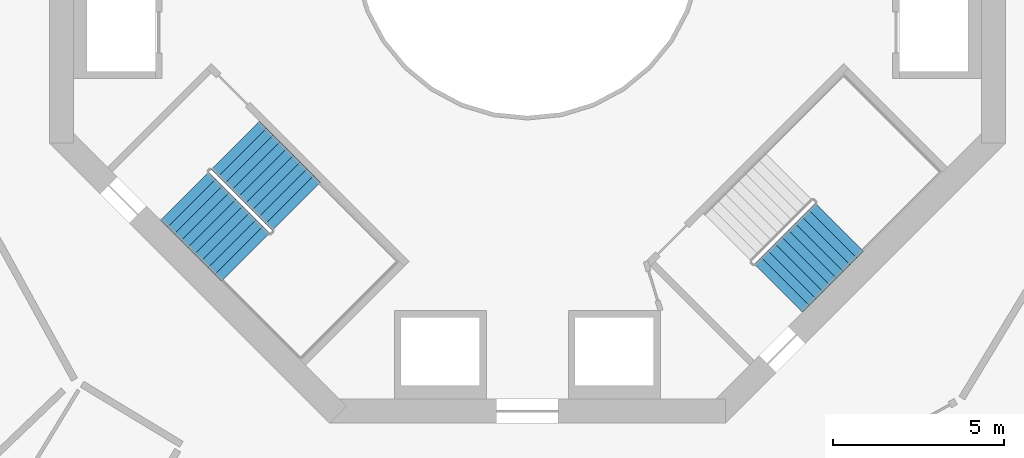
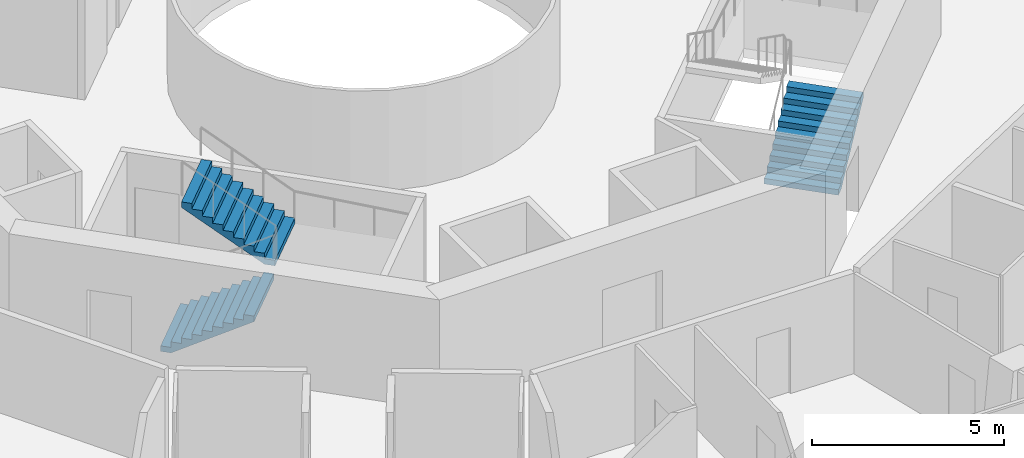
# One storey, part 20 of 22: 3 stair flights, 2 elements without a shape of their own.
"""IFC4 building model written with IfcOpenShell, lengths in metres."""

import ifcopenshell
import ifcopenshell.guid

model = None  # the IFC model being written
_history = None  # IfcOwnerHistory: only IFC2X3 demands one
_inside = {}  # id of a spatial element -> (the spatial element, [elements in it])
_under = {}  # id of a project, library or spatial element -> (it, [spatial elements below it])
_declared = {}  # id of a project -> (the project, [libraries it declares])
_typed = {}  # id of a type object -> (the type object, [elements of that type])
_made_of = {}  # id of a material, layer set ... -> (it, [elements and type objects made of it])


def new_model(schema):
    """Start an empty IFC model of exactly this schema.

    Asked for "IFC4X3", IfcOpenShell would pick the latest addendum, in which some entities
    have other attributes; the version numbers below select the first issue.
    IFC2X3 requires an IfcOwnerHistory on every rooted entity: one is made here for all.
    """
    global model, _history
    if schema == "IFC4X3":
        model = ifcopenshell.file(schema_version=(4, 3, 0, 0))
    else:
        model = ifcopenshell.file(schema=schema)
    _inside.clear()
    _under.clear()
    _declared.clear()
    _typed.clear()
    _made_of.clear()
    _history = None
    if model.schema == "IFC2X3":
        org = make("IfcOrganization", Name="unknown")
        user = make(
            "IfcPersonAndOrganization",
            ThePerson=make("IfcPerson", FamilyName="unknown"),
            TheOrganization=org,
        )
        app = make(
            "IfcApplication",
            ApplicationDeveloper=org,
            Version="unknown",
            ApplicationFullName="unknown",
            ApplicationIdentifier="unknown",
        )
        _history = make(
            "IfcOwnerHistory",
            OwningUser=user,
            OwningApplication=app,
            ChangeAction="ADDED",
            CreationDate=0,
        )
    return model


def make(cls, **values):
    """One entity of the class cls with the attributes given. An attribute that is None is left unset."""
    return model.create_entity(
        cls, **{name: value for name, value in values.items() if value is not None}
    )


def rooted(cls, **values):
    """An entity with a GlobalId (a new one), such as an element, a storey or a relation."""
    return make(cls, GlobalId=ifcopenshell.guid.new(), OwnerHistory=_history, **values)


def si_unit(unit_type, name, prefix=None):
    """IfcSIUnit, for example si_unit("LENGTHUNIT", "METRE", prefix="MILLI")."""
    return make("IfcSIUnit", UnitType=unit_type, Prefix=prefix, Name=name)


def assignment(units):
    """IfcUnitAssignment: the units of a project."""
    return None if units is None else make("IfcUnitAssignment", Units=units)


def point(xyz):
    """IfcCartesianPoint."""
    return None if xyz is None else make("IfcCartesianPoint", Coordinates=xyz)


def direction(xyz):
    """IfcDirection."""
    return None if xyz is None else make("IfcDirection", DirectionRatios=xyz)


def frame(location, z_axis=None, x_axis=None):
    """IfcAxis2Placement3D, a coordinate frame: its origin and axes. An axis left out is left unset."""
    return make(
        "IfcAxis2Placement3D",
        Location=point(location),
        Axis=direction(z_axis),
        RefDirection=direction(x_axis),
    )


def origin():
    """The frame at (0, 0, 0) with its axes left unset."""
    return frame((0.0, 0.0, 0.0))


def place(relative_to, where):
    """IfcLocalPlacement: puts the frame where relative to a parent placement (None: the world)."""
    return make(
        "IfcLocalPlacement", PlacementRelTo=relative_to, RelativePlacement=where
    )


def context(
    kind, dimensions, precision=None, world=None, true_north=None, identifier=None
):
    """IfcGeometricRepresentationContext, for example the 3D "Model" context."""
    return make(
        "IfcGeometricRepresentationContext",
        ContextIdentifier=identifier,
        ContextType=kind,
        CoordinateSpaceDimension=dimensions,
        Precision=precision,
        WorldCoordinateSystem=world,
        TrueNorth=true_north,
    )


def subcontext(parent, identifier, kind, view, scale=None):
    """IfcGeometricRepresentationSubContext, for example "Body" below "Model"."""
    return make(
        "IfcGeometricRepresentationSubContext",
        ContextIdentifier=identifier,
        ContextType=kind,
        ParentContext=parent,
        TargetScale=scale,
        TargetView=view,
    )


def project(units=None, contexts=None):
    """IfcProject with its units and contexts."""
    return rooted(
        "IfcProject",
        Name="project",
        RepresentationContexts=contexts,
        UnitsInContext=assignment(units),
    )


def spatial(cls, under=None, at=None, **own):
    """A site, building, storey or space (cls), placed at a placement, below another one or the project."""
    s = rooted(cls, ObjectPlacement=at, **own)
    if under is not None:
        _under.setdefault(under.id(), (under, []))[1].append(s)
    return s


def point_list(points):
    """IfcCartesianPointList2D or 3D."""
    cls = (
        "IfcCartesianPointList2D" if len(points[0]) == 2 else "IfcCartesianPointList3D"
    )
    return make(cls, CoordList=points)


def triangles(points, corners, closed=None, point_numbers=None):
    """IfcTriangulatedFaceSet: each triangle names its three corners, points numbered from 1."""
    return make(
        "IfcTriangulatedFaceSet",
        Coordinates=point_list(points),
        Closed=closed,
        CoordIndex=corners,
        PnIndex=point_numbers,
    )


def shape(context_of_items, identifier, shape_type, items):
    """IfcShapeRepresentation: the items that make up one representation, for example the "Body"."""
    return make(
        "IfcShapeRepresentation",
        ContextOfItems=context_of_items,
        RepresentationIdentifier=identifier,
        RepresentationType=shape_type,
        Items=items,
    )


def material(Name=None, Category=None):
    """IfcMaterial."""
    return make("IfcMaterial", Name=Name, Category=Category)


def made_of(thing, what):
    """Note that an element or type object is made of a material, layer set ...; save() writes the relation."""
    if what is not None:
        _made_of.setdefault(what.id(), (what, []))[1].append(thing)
    return thing


def type_object(cls, material=None, **own):
    """A type object (cls), such as IfcWallType, which elements share."""
    return made_of(rooted(cls, **own), material)


def element(
    cls,
    number,
    at=None,
    inside=None,
    cuts=None,
    type_object=None,
    material=None,
    context=None,
    identifier="Body",
    shape_type=None,
    held_by="IfcProductDefinitionShape",
    body=None,
    shapes=None,
    **own,
):
    """One element of the class cls, such as IfcWall. Its Tag is "e" and its number.

    at: its placement. inside: the storey or other place that contains it. cuts: it is an
    opening in that element (IfcRelVoidsElement). A single representation is given by context,
    identifier, shape_type and body (its items); several are given by shapes. held_by: the class
    of the entity that holds the representations. save() writes the other relations.
    """
    e = rooted(cls, Tag="e%d" % number, ObjectPlacement=at, **own)
    if body is not None:
        shapes = [shape(context, identifier, shape_type, body)]
    if shapes is not None:
        e.Representation = make(held_by, Representations=shapes)
    if inside is not None:
        _inside.setdefault(inside.id(), (inside, []))[1].append(e)
    if cuts is not None:
        rooted(
            "IfcRelVoidsElement", RelatingBuildingElement=cuts, RelatedOpeningElement=e
        )
    if type_object is not None:
        _typed.setdefault(type_object.id(), (type_object, []))[1].append(e)
    return made_of(e, material)


def aggregate(whole, parts):
    """IfcRelAggregates: a whole, such as a stair, and the parts it consists of."""
    return rooted("IfcRelAggregates", RelatingObject=whole, RelatedObjects=parts)


def save(model, path):
    """Write the relations noted so far, then the file.

    IfcRelAggregates (storeys below a building ...), IfcRelContainedInSpatialStructure (elements
    in a storey), IfcRelDefinesByType, IfcRelAssociatesMaterial and IfcRelDeclares: one each for
    every whole, place, type object, material and project.
    """
    for whole, parts in _under.values():
        aggregate(whole, parts)
    for where, things in _inside.values():
        rooted(
            "IfcRelContainedInSpatialStructure",
            RelatedElements=things,
            RelatingStructure=where,
        )
    for kind, things in _typed.values():
        rooted("IfcRelDefinesByType", RelatedObjects=things, RelatingType=kind)
    for what, things in _made_of.values():
        rooted("IfcRelAssociatesMaterial", RelatedObjects=things, RelatingMaterial=what)
    for by, libraries in _declared.values():
        rooted("IfcRelDeclares", RelatingContext=by, RelatedDefinitions=libraries)
    model.write(path)


model = new_model("IFC4")

# Units and contexts
model_context = context("Model", 3, precision=1e-05, world=origin(), true_north=direction((0.0, 1.0)))
body_context = subcontext(model_context, "Body", "Model", "MODEL_VIEW")
ifc_project = project(units=[si_unit("LENGTHUNIT", "METRE"), si_unit("AREAUNIT", "SQUARE_METRE"), si_unit("VOLUMEUNIT", "CUBIC_METRE"), si_unit("PLANEANGLEUNIT", "RADIAN"), si_unit("MASSUNIT", "GRAM", prefix="KILO")], contexts=[model_context])

# Site, building, storey
site_placement = place(None, origin())
site = spatial("IfcSite", under=ifc_project, at=site_placement, CompositionType="ELEMENT")
building_placement = place(site_placement, origin())
building = spatial("IfcBuilding", under=site, at=building_placement, Name="Verdalira Terraces Hotel", CompositionType="ELEMENT")
storey_placement = place(building_placement, frame((0.0, 0.0, 150.5)))
storey = spatial("IfcBuildingStorey", under=building, at=storey_placement, Name="L36", CompositionType="ELEMENT", Elevation=150.5)

# Stair, stair flights
ifc_material_1 = material(Name="Concrete C40", Category="concrete")
stair_type = type_object("IfcStairType", Name="Core stair 20 risers 2000 mm wide", PredefinedType="HALF_TURN_STAIR", material=ifc_material_1)
stair_1_placement = place(storey_placement, origin())
stair_1 = element("IfcStair", 1, at=stair_1_placement, inside=storey, type_object=stair_type, Name="L36 Exit stair ST2", PredefinedType="HALF_TURN_STAIR")
ifc_material_2 = material(Name="Concrete C40", Category="concrete")
stair_flight_type = type_object("IfcStairFlightType", Name="Core stair flight 20 risers 2000 mm wide", PredefinedType="STRAIGHT", material=ifc_material_2)
stair_flight_1_placement = place(storey_placement, frame((-10.041016, -7.354004, 0.0), z_axis=(0.0, 0.0, 1.0), x_axis=(0.707106781, -0.707106781, 0.0)))
stair_flight_1 = element("IfcStairFlight", 2, at=stair_flight_1_placement, type_object=stair_flight_type, Name="ST2 flight 1", NumberOfRisers=10, NumberOfTreads=9, PredefinedType="STRAIGHT", RiserHeight=0.175, TreadLength=0.28, context=body_context, shape_type="Tessellation", body=[
    triangles([(0.0, 1.0, 0.0), (0.282715, 1.0, 0.0), (2.52002, 1.0, 1.398193), (0.0, -1.0, 0.0), (0.282715, -1.0, 0.0), (2.52002, -1.0, 1.398193), (2.52002, 1.0, 1.574951), (2.23999, 1.0, 1.574951), (2.52002, -1.0, 1.574951), (2.23999, -1.0, 1.574951), (2.23999, 1.0, 1.399902), (2.23999, -1.0, 1.399902), (1.959961, 1.0, 1.399902), (1.959961, -1.0, 1.399902), (1.959961, 1.0, 1.225098), (1.959961, -1.0, 1.225098), (1.679932, 1.0, 1.225098), (1.679932, 1.0, 1.050049), (1.679932, -1.0, 1.225098), (1.679932, -1.0, 1.050049), (1.399902, 1.0, 1.050049), (1.399902, 1.0, 0.875), (1.399902, -1.0, 1.050049), (1.399902, -1.0, 0.875), (1.120117, 1.0, 0.875), (1.120117, 1.0, 0.699951), (1.120117, -1.0, 0.875), (1.120117, -1.0, 0.699951), (0.840088, 1.0, 0.699951), (0.840088, 1.0, 0.524902), (0.840088, -1.0, 0.699951), (0.840088, -1.0, 0.524902), (0.560059, 1.0, 0.524902), (0.560059, 1.0, 0.350098), (0.560059, -1.0, 0.524902), (0.560059, -1.0, 0.350098), (0.280029, 1.0, 0.350098), (0.280029, 1.0, 0.175049), (0.280029, -1.0, 0.350098), (0.280029, -1.0, 0.175049), (0.0, 1.0, 0.175049), (0.0, -1.0, 0.175049), (0.0, -0.9375, 0.0), (0.0, -0.9375, 0.175049), (0.0, -0.875, 0.0), (0.0, -0.875, 0.175049), (0.0, -0.8125, 0.0), (0.0, -0.8125, 0.175049), (0.0, -0.75, 0.0), (0.0, -0.75, 0.175049), (0.0, -0.6875, 0.0), (0.0, -0.6875, 0.175049), (0.0, -0.625, 0.0), (0.0, -0.625, 0.175049), (0.0, -0.5625, 0.0), (0.0, -0.5625, 0.175049), (0.0, -0.5, 0.0), (0.0, -0.5, 0.175049), (0.0, -0.4375, 0.0), (0.0, -0.4375, 0.175049), (0.0, -0.375, 0.0), (0.0, -0.375, 0.175049), (0.0, -0.3125, 0.0), (0.0, -0.3125, 0.175049), (0.0, -0.25, 0.0), (0.0, -0.25, 0.175049), (0.0, -0.1875, 0.0), (0.0, -0.1875, 0.175049), (0.0, -0.125, 0.0), (0.0, -0.125, 0.175049), (0.0, -0.0625, 0.0), (0.0, -0.0625, 0.175049), (0.0, 0.0, 0.0), (0.0, 0.0, 0.175049), (0.0, 0.0625, 0.0), (0.0, 0.0625, 0.175049), (0.0, 0.125, 0.0), (0.0, 0.125, 0.175049), (0.0, 0.1875, 0.0), (0.0, 0.1875, 0.175049), (0.0, 0.25, 0.0), (0.0, 0.25, 0.175049), (0.0, 0.3125, 0.0), (0.0, 0.3125, 0.175049), (0.0, 0.375, 0.0), (0.0, 0.375, 0.175049), (0.0, 0.4375, 0.0), (0.0, 0.4375, 0.175049), (0.0, 0.5, 0.0), (0.0, 0.5, 0.175049), (0.0, 0.5625, 0.0), (0.0, 0.5625, 0.175049), (0.0, 0.625, 0.0), (0.0, 0.625, 0.175049), (0.0, 0.6875, 0.0), (0.0, 0.6875, 0.175049), (0.0, 0.75, 0.0), (0.0, 0.75, 0.175049), (0.0, 0.8125, 0.0), (0.0, 0.8125, 0.175049), (0.0, 0.875, 0.0), (0.0, 0.875, 0.175049), (0.0, 0.9375, 0.0), (0.0, 0.9375, 0.175049), (2.52002, -0.9375, 1.574951), (2.52002, -0.875, 1.574951), (2.52002, -0.8125, 1.574951), (2.52002, -0.75, 1.574951), (2.52002, -0.6875, 1.574951), (2.52002, -0.625, 1.574951), (2.52002, -0.5625, 1.574951), (2.52002, -0.5, 1.574951), (2.52002, -0.4375, 1.574951), (2.52002, -0.375, 1.574951), (2.52002, -0.3125, 1.574951), (2.52002, -0.25, 1.574951), (2.52002, -0.1875, 1.574951), (2.52002, -0.125, 1.574951), (2.52002, -0.0625, 1.574951), (2.52002, 0.0, 1.574951), (2.52002, 0.0625, 1.574951), (2.52002, 0.125, 1.574951), (2.52002, 0.1875, 1.574951), (2.52002, 0.25, 1.574951), (2.52002, 0.3125, 1.574951), (2.52002, 0.375, 1.574951), (2.52002, 0.4375, 1.574951), (2.52002, 0.5, 1.574951), (2.52002, 0.5625, 1.574951), (2.52002, 0.625, 1.574951), (2.52002, 0.6875, 1.574951), (2.52002, 0.75, 1.574951), (2.52002, 0.8125, 1.574951), (2.52002, 0.875, 1.574951), (2.52002, 0.9375, 1.574951), (2.52002, -0.9375, 1.398193), (2.52002, -0.875, 1.398193), (2.52002, -0.8125, 1.398193), (2.52002, -0.75, 1.398193), (2.52002, -0.6875, 1.398193), (2.52002, -0.625, 1.398193), (2.52002, -0.5625, 1.398193), (2.52002, -0.5, 1.398193), (2.52002, -0.4375, 1.398193), (2.52002, -0.375, 1.398193), (2.52002, -0.3125, 1.398193), (2.52002, -0.25, 1.398193), (2.52002, -0.1875, 1.398193), (2.52002, -0.125, 1.398193), (2.52002, -0.0625, 1.398193), (2.52002, 0.0, 1.398193), (2.52002, 0.0625, 1.398193), (2.52002, 0.125, 1.398193), (2.52002, 0.1875, 1.398193), (2.52002, 0.25, 1.398193), (2.52002, 0.3125, 1.398193), (2.52002, 0.375, 1.398193), (2.52002, 0.4375, 1.398193), (2.52002, 0.5, 1.398193), (2.52002, 0.5625, 1.398193), (2.52002, 0.625, 1.398193), (2.52002, 0.6875, 1.398193), (2.52002, 0.75, 1.398193), (2.52002, 0.8125, 1.398193), (2.52002, 0.875, 1.398193), (2.52002, 0.9375, 1.398193)], [[1, 3, 2], [4, 5, 6], [3, 8, 7], [6, 9, 10], [3, 11, 8], [6, 10, 12], [3, 13, 11], [6, 12, 14], [3, 15, 13], [6, 14, 16], [15, 18, 17], [16, 19, 20], [3, 18, 15], [6, 16, 20], [18, 22, 21], [20, 23, 24], [3, 22, 18], [6, 20, 24], [22, 26, 25], [24, 27, 28], [3, 26, 22], [6, 24, 28], [26, 30, 29], [28, 31, 32], [3, 30, 26], [6, 28, 32], [1, 30, 3], [4, 6, 32], [30, 34, 33], [32, 35, 36], [34, 38, 37], [36, 39, 40], [30, 38, 34], [32, 36, 40], [1, 38, 30], [4, 32, 40], [38, 1, 41], [40, 42, 4], [4, 44, 43], [4, 42, 44], [43, 46, 45], [43, 44, 46], [45, 48, 47], [45, 46, 48], [47, 50, 49], [47, 48, 50], [49, 52, 51], [49, 50, 52], [51, 54, 53], [51, 52, 54], [53, 56, 55], [53, 54, 56], [55, 58, 57], [55, 56, 58], [57, 60, 59], [57, 58, 60], [59, 62, 61], [59, 60, 62], [61, 64, 63], [61, 62, 64], [63, 66, 65], [63, 64, 66], [65, 68, 67], [65, 66, 68], [67, 70, 69], [67, 68, 70], [69, 72, 71], [69, 70, 72], [71, 74, 73], [71, 72, 74], [73, 76, 75], [73, 74, 76], [75, 78, 77], [75, 76, 78], [77, 80, 79], [77, 78, 80], [79, 82, 81], [79, 80, 82], [81, 84, 83], [81, 82, 84], [83, 86, 85], [83, 84, 86], [85, 88, 87], [85, 86, 88], [87, 90, 89], [87, 88, 90], [89, 92, 91], [89, 90, 92], [91, 94, 93], [91, 92, 94], [93, 96, 95], [93, 94, 96], [95, 98, 97], [95, 96, 98], [97, 100, 99], [97, 98, 100], [99, 102, 101], [99, 100, 102], [101, 104, 103], [101, 102, 104], [103, 41, 1], [103, 104, 41], [42, 40, 44], [44, 40, 46], [46, 40, 48], [48, 40, 50], [50, 40, 52], [52, 40, 54], [54, 40, 56], [56, 40, 58], [58, 40, 60], [60, 40, 62], [62, 40, 64], [64, 40, 66], [66, 40, 68], [68, 40, 70], [70, 40, 72], [72, 40, 74], [74, 40, 76], [76, 40, 78], [78, 40, 80], [80, 40, 82], [82, 40, 84], [84, 40, 86], [86, 40, 88], [88, 40, 90], [90, 40, 92], [92, 40, 94], [94, 40, 96], [96, 40, 98], [98, 40, 100], [100, 40, 102], [102, 40, 104], [104, 40, 41], [41, 40, 38], [40, 37, 38], [40, 39, 37], [39, 34, 37], [39, 36, 34], [36, 33, 34], [36, 35, 33], [35, 30, 33], [35, 32, 30], [32, 29, 30], [32, 31, 29], [31, 26, 29], [31, 28, 26], [28, 25, 26], [28, 27, 25], [27, 22, 25], [27, 24, 22], [24, 21, 22], [24, 23, 21], [23, 18, 21], [23, 20, 18], [20, 17, 18], [20, 19, 17], [19, 15, 17], [19, 16, 15], [16, 13, 15], [16, 14, 13], [14, 11, 13], [14, 12, 11], [12, 8, 11], [12, 10, 8], [9, 105, 10], [105, 106, 10], [106, 107, 10], [107, 108, 10], [108, 109, 10], [109, 110, 10], [110, 111, 10], [111, 112, 10], [112, 113, 10], [113, 114, 10], [114, 115, 10], [115, 116, 10], [116, 117, 10], [117, 118, 10], [118, 119, 10], [119, 120, 10], [120, 121, 10], [121, 122, 10], [122, 123, 10], [123, 124, 10], [124, 125, 10], [125, 126, 10], [126, 127, 10], [127, 128, 10], [128, 129, 10], [129, 130, 10], [130, 131, 10], [131, 132, 10], [132, 133, 10], [133, 134, 10], [134, 135, 10], [135, 7, 10], [7, 8, 10], [9, 136, 105], [9, 6, 136], [105, 137, 106], [105, 136, 137], [106, 138, 107], [106, 137, 138], [107, 139, 108], [107, 138, 139], [108, 140, 109], [108, 139, 140], [109, 141, 110], [109, 140, 141], [110, 142, 111], [110, 141, 142], [111, 143, 112], [111, 142, 143], [112, 144, 113], [112, 143, 144], [113, 145, 114], [113, 144, 145], [114, 146, 115], [114, 145, 146], [115, 147, 116], [115, 146, 147], [116, 148, 117], [116, 147, 148], [117, 149, 118], [117, 148, 149], [118, 150, 119], [118, 149, 150], [119, 151, 120], [119, 150, 151], [120, 152, 121], [120, 151, 152], [121, 153, 122], [121, 152, 153], [122, 154, 123], [122, 153, 154], [123, 155, 124], [123, 154, 155], [124, 156, 125], [124, 155, 156], [125, 157, 126], [125, 156, 157], [126, 158, 127], [126, 157, 158], [127, 159, 128], [127, 158, 159], [128, 160, 129], [128, 159, 160], [129, 161, 130], [129, 160, 161], [130, 162, 131], [130, 161, 162], [131, 163, 132], [131, 162, 163], [132, 164, 133], [132, 163, 164], [133, 165, 134], [133, 164, 165], [134, 166, 135], [134, 165, 166], [135, 3, 7], [135, 166, 3], [6, 5, 136], [136, 5, 137], [137, 5, 138], [138, 5, 139], [139, 5, 140], [140, 5, 141], [141, 5, 142], [142, 5, 143], [143, 5, 144], [144, 5, 145], [145, 5, 146], [146, 5, 147], [147, 5, 148], [148, 5, 149], [149, 5, 150], [150, 5, 151], [151, 5, 152], [152, 5, 153], [153, 5, 154], [154, 5, 155], [155, 5, 156], [156, 5, 157], [157, 5, 158], [158, 5, 159], [159, 5, 160], [160, 5, 161], [161, 5, 162], [162, 5, 163], [163, 5, 164], [164, 5, 165], [165, 5, 166], [166, 5, 3], [3, 5, 2], [4, 43, 5], [43, 45, 5], [45, 47, 5], [47, 49, 5], [49, 51, 5], [51, 53, 5], [53, 55, 5], [55, 57, 5], [57, 59, 5], [59, 61, 5], [61, 63, 5], [63, 65, 5], [65, 67, 5], [67, 69, 5], [69, 71, 5], [71, 73, 5], [73, 75, 5], [75, 77, 5], [77, 79, 5], [79, 81, 5], [81, 83, 5], [83, 85, 5], [85, 87, 5], [87, 89, 5], [89, 91, 5], [91, 93, 5], [93, 95, 5], [95, 97, 5], [97, 99, 5], [99, 101, 5], [101, 103, 5], [103, 1, 5], [1, 2, 5]], closed=True),
])
stair_flight_2_placement = place(storey_placement, frame((-6.77417, -7.650879, 1.75), z_axis=(0.0, 0.0, 1.0), x_axis=(-0.707106781, 0.707106781, 0.0)))
stair_flight_2 = element("IfcStairFlight", 3, at=stair_flight_2_placement, type_object=stair_flight_type, Name="ST2 flight 2", NumberOfRisers=10, NumberOfTreads=9, PredefinedType="STRAIGHT", RiserHeight=0.175, TreadLength=0.28, context=body_context, shape_type="Tessellation", body=[
    triangles([(0.0, 1.0, 0.0), (0.282715, 1.0, 0.0), (2.52002, 1.0, 1.398193), (0.0, -1.0, 0.0), (0.282715, -1.0, 0.0), (2.52002, -1.0, 1.398193), (2.52002, 1.0, 1.574951), (2.23999, 1.0, 1.574951), (2.52002, -1.0, 1.574951), (2.23999, -1.0, 1.574951), (2.23999, 1.0, 1.399902), (2.23999, -1.0, 1.399902), (1.959961, 1.0, 1.399902), (1.959961, -1.0, 1.399902), (1.959961, 1.0, 1.225098), (1.959961, -1.0, 1.225098), (1.679932, 1.0, 1.225098), (1.679932, 1.0, 1.050049), (1.679932, -1.0, 1.225098), (1.679932, -1.0, 1.050049), (1.399902, 1.0, 1.050049), (1.399902, 1.0, 0.875), (1.399902, -1.0, 1.050049), (1.399902, -1.0, 0.875), (1.120117, 1.0, 0.875), (1.120117, 1.0, 0.699951), (1.120117, -1.0, 0.875), (1.120117, -1.0, 0.699951), (0.840088, 1.0, 0.699951), (0.840088, 1.0, 0.524902), (0.840088, -1.0, 0.699951), (0.840088, -1.0, 0.524902), (0.560059, 1.0, 0.524902), (0.560059, 1.0, 0.350098), (0.560059, -1.0, 0.524902), (0.560059, -1.0, 0.350098), (0.280029, 1.0, 0.350098), (0.280029, 1.0, 0.175049), (0.280029, -1.0, 0.350098), (0.280029, -1.0, 0.175049), (0.0, 1.0, 0.175049), (0.0, -1.0, 0.175049), (0.0, -0.9375, 0.0), (0.0, -0.9375, 0.175049), (0.0, -0.875, 0.0), (0.0, -0.875, 0.175049), (0.0, -0.8125, 0.0), (0.0, -0.8125, 0.175049), (0.0, -0.75, 0.0), (0.0, -0.75, 0.175049), (0.0, -0.6875, 0.0), (0.0, -0.6875, 0.175049), (0.0, -0.625, 0.0), (0.0, -0.625, 0.175049), (0.0, -0.5625, 0.0), (0.0, -0.5625, 0.175049), (0.0, -0.5, 0.0), (0.0, -0.5, 0.175049), (0.0, -0.4375, 0.0), (0.0, -0.4375, 0.175049), (0.0, -0.375, 0.0), (0.0, -0.375, 0.175049), (0.0, -0.3125, 0.0), (0.0, -0.3125, 0.175049), (0.0, -0.25, 0.0), (0.0, -0.25, 0.175049), (0.0, -0.1875, 0.0), (0.0, -0.1875, 0.175049), (0.0, -0.125, 0.0), (0.0, -0.125, 0.175049), (0.0, -0.0625, 0.0), (0.0, -0.0625, 0.175049), (0.0, 0.0, 0.0), (0.0, 0.0, 0.175049), (0.0, 0.0625, 0.0), (0.0, 0.0625, 0.175049), (0.0, 0.125, 0.0), (0.0, 0.125, 0.175049), (0.0, 0.1875, 0.0), (0.0, 0.1875, 0.175049), (0.0, 0.25, 0.0), (0.0, 0.25, 0.175049), (0.0, 0.3125, 0.0), (0.0, 0.3125, 0.175049), (0.0, 0.375, 0.0), (0.0, 0.375, 0.175049), (0.0, 0.4375, 0.0), (0.0, 0.4375, 0.175049), (0.0, 0.5, 0.0), (0.0, 0.5, 0.175049), (0.0, 0.5625, 0.0), (0.0, 0.5625, 0.175049), (0.0, 0.625, 0.0), (0.0, 0.625, 0.175049), (0.0, 0.6875, 0.0), (0.0, 0.6875, 0.175049), (0.0, 0.75, 0.0), (0.0, 0.75, 0.175049), (0.0, 0.8125, 0.0), (0.0, 0.8125, 0.175049), (0.0, 0.875, 0.0), (0.0, 0.875, 0.175049), (0.0, 0.9375, 0.0), (0.0, 0.9375, 0.175049), (2.52002, -0.9375, 1.574951), (2.52002, -0.875, 1.574951), (2.52002, -0.8125, 1.574951), (2.52002, -0.75, 1.574951), (2.52002, -0.6875, 1.574951), (2.52002, -0.625, 1.574951), (2.52002, -0.5625, 1.574951), (2.52002, -0.5, 1.574951), (2.52002, -0.4375, 1.574951), (2.52002, -0.375, 1.574951), (2.52002, -0.3125, 1.574951), (2.52002, -0.25, 1.574951), (2.52002, -0.1875, 1.574951), (2.52002, -0.125, 1.574951), (2.52002, -0.0625, 1.574951), (2.52002, 0.0, 1.574951), (2.52002, 0.0625, 1.574951), (2.52002, 0.125, 1.574951), (2.52002, 0.1875, 1.574951), (2.52002, 0.25, 1.574951), (2.52002, 0.3125, 1.574951), (2.52002, 0.375, 1.574951), (2.52002, 0.4375, 1.574951), (2.52002, 0.5, 1.574951), (2.52002, 0.5625, 1.574951), (2.52002, 0.625, 1.574951), (2.52002, 0.6875, 1.574951), (2.52002, 0.75, 1.574951), (2.52002, 0.8125, 1.574951), (2.52002, 0.875, 1.574951), (2.52002, 0.9375, 1.574951), (2.52002, -0.9375, 1.398193), (2.52002, -0.875, 1.398193), (2.52002, -0.8125, 1.398193), (2.52002, -0.75, 1.398193), (2.52002, -0.6875, 1.398193), (2.52002, -0.625, 1.398193), (2.52002, -0.5625, 1.398193), (2.52002, -0.5, 1.398193), (2.52002, -0.4375, 1.398193), (2.52002, -0.375, 1.398193), (2.52002, -0.3125, 1.398193), (2.52002, -0.25, 1.398193), (2.52002, -0.1875, 1.398193), (2.52002, -0.125, 1.398193), (2.52002, -0.0625, 1.398193), (2.52002, 0.0, 1.398193), (2.52002, 0.0625, 1.398193), (2.52002, 0.125, 1.398193), (2.52002, 0.1875, 1.398193), (2.52002, 0.25, 1.398193), (2.52002, 0.3125, 1.398193), (2.52002, 0.375, 1.398193), (2.52002, 0.4375, 1.398193), (2.52002, 0.5, 1.398193), (2.52002, 0.5625, 1.398193), (2.52002, 0.625, 1.398193), (2.52002, 0.6875, 1.398193), (2.52002, 0.75, 1.398193), (2.52002, 0.8125, 1.398193), (2.52002, 0.875, 1.398193), (2.52002, 0.9375, 1.398193)], [[1, 3, 2], [4, 5, 6], [3, 8, 7], [6, 9, 10], [3, 11, 8], [6, 10, 12], [3, 13, 11], [6, 12, 14], [3, 15, 13], [6, 14, 16], [15, 18, 17], [16, 19, 20], [3, 18, 15], [6, 16, 20], [18, 22, 21], [20, 23, 24], [3, 22, 18], [6, 20, 24], [22, 26, 25], [24, 27, 28], [3, 26, 22], [6, 24, 28], [26, 30, 29], [28, 31, 32], [3, 30, 26], [6, 28, 32], [1, 30, 3], [4, 6, 32], [30, 34, 33], [32, 35, 36], [34, 38, 37], [36, 39, 40], [30, 38, 34], [32, 36, 40], [1, 38, 30], [4, 32, 40], [38, 1, 41], [40, 42, 4], [4, 44, 43], [4, 42, 44], [43, 46, 45], [43, 44, 46], [45, 48, 47], [45, 46, 48], [47, 50, 49], [47, 48, 50], [49, 52, 51], [49, 50, 52], [51, 54, 53], [51, 52, 54], [53, 56, 55], [53, 54, 56], [55, 58, 57], [55, 56, 58], [57, 60, 59], [57, 58, 60], [59, 62, 61], [59, 60, 62], [61, 64, 63], [61, 62, 64], [63, 66, 65], [63, 64, 66], [65, 68, 67], [65, 66, 68], [67, 70, 69], [67, 68, 70], [69, 72, 71], [69, 70, 72], [71, 74, 73], [71, 72, 74], [73, 76, 75], [73, 74, 76], [75, 78, 77], [75, 76, 78], [77, 80, 79], [77, 78, 80], [79, 82, 81], [79, 80, 82], [81, 84, 83], [81, 82, 84], [83, 86, 85], [83, 84, 86], [85, 88, 87], [85, 86, 88], [87, 90, 89], [87, 88, 90], [89, 92, 91], [89, 90, 92], [91, 94, 93], [91, 92, 94], [93, 96, 95], [93, 94, 96], [95, 98, 97], [95, 96, 98], [97, 100, 99], [97, 98, 100], [99, 102, 101], [99, 100, 102], [101, 104, 103], [101, 102, 104], [103, 41, 1], [103, 104, 41], [42, 40, 44], [44, 40, 46], [46, 40, 48], [48, 40, 50], [50, 40, 52], [52, 40, 54], [54, 40, 56], [56, 40, 58], [58, 40, 60], [60, 40, 62], [62, 40, 64], [64, 40, 66], [66, 40, 68], [68, 40, 70], [70, 40, 72], [72, 40, 74], [74, 40, 76], [76, 40, 78], [78, 40, 80], [80, 40, 82], [82, 40, 84], [84, 40, 86], [86, 40, 88], [88, 40, 90], [90, 40, 92], [92, 40, 94], [94, 40, 96], [96, 40, 98], [98, 40, 100], [100, 40, 102], [102, 40, 104], [104, 40, 41], [41, 40, 38], [40, 37, 38], [40, 39, 37], [39, 34, 37], [39, 36, 34], [36, 33, 34], [36, 35, 33], [35, 30, 33], [35, 32, 30], [32, 29, 30], [32, 31, 29], [31, 26, 29], [31, 28, 26], [28, 25, 26], [28, 27, 25], [27, 22, 25], [27, 24, 22], [24, 21, 22], [24, 23, 21], [23, 18, 21], [23, 20, 18], [20, 17, 18], [20, 19, 17], [19, 15, 17], [19, 16, 15], [16, 13, 15], [16, 14, 13], [14, 11, 13], [14, 12, 11], [12, 8, 11], [12, 10, 8], [9, 105, 10], [105, 106, 10], [106, 107, 10], [107, 108, 10], [108, 109, 10], [109, 110, 10], [110, 111, 10], [111, 112, 10], [112, 113, 10], [113, 114, 10], [114, 115, 10], [115, 116, 10], [116, 117, 10], [117, 118, 10], [118, 119, 10], [119, 120, 10], [120, 121, 10], [121, 122, 10], [122, 123, 10], [123, 124, 10], [124, 125, 10], [125, 126, 10], [126, 127, 10], [127, 128, 10], [128, 129, 10], [129, 130, 10], [130, 131, 10], [131, 132, 10], [132, 133, 10], [133, 134, 10], [134, 135, 10], [135, 7, 10], [7, 8, 10], [9, 136, 105], [9, 6, 136], [105, 137, 106], [105, 136, 137], [106, 138, 107], [106, 137, 138], [107, 139, 108], [107, 138, 139], [108, 140, 109], [108, 139, 140], [109, 141, 110], [109, 140, 141], [110, 142, 111], [110, 141, 142], [111, 143, 112], [111, 142, 143], [112, 144, 113], [112, 143, 144], [113, 145, 114], [113, 144, 145], [114, 146, 115], [114, 145, 146], [115, 147, 116], [115, 146, 147], [116, 148, 117], [116, 147, 148], [117, 149, 118], [117, 148, 149], [118, 150, 119], [118, 149, 150], [119, 151, 120], [119, 150, 151], [120, 152, 121], [120, 151, 152], [121, 153, 122], [121, 152, 153], [122, 154, 123], [122, 153, 154], [123, 155, 124], [123, 154, 155], [124, 156, 125], [124, 155, 156], [125, 157, 126], [125, 156, 157], [126, 158, 127], [126, 157, 158], [127, 159, 128], [127, 158, 159], [128, 160, 129], [128, 159, 160], [129, 161, 130], [129, 160, 161], [130, 162, 131], [130, 161, 162], [131, 163, 132], [131, 162, 163], [132, 164, 133], [132, 163, 164], [133, 165, 134], [133, 164, 165], [134, 166, 135], [134, 165, 166], [135, 3, 7], [135, 166, 3], [6, 5, 136], [136, 5, 137], [137, 5, 138], [138, 5, 139], [139, 5, 140], [140, 5, 141], [141, 5, 142], [142, 5, 143], [143, 5, 144], [144, 5, 145], [145, 5, 146], [146, 5, 147], [147, 5, 148], [148, 5, 149], [149, 5, 150], [150, 5, 151], [151, 5, 152], [152, 5, 153], [153, 5, 154], [154, 5, 155], [155, 5, 156], [156, 5, 157], [157, 5, 158], [158, 5, 159], [159, 5, 160], [160, 5, 161], [161, 5, 162], [162, 5, 163], [163, 5, 164], [164, 5, 165], [165, 5, 166], [166, 5, 3], [3, 5, 2], [4, 43, 5], [43, 45, 5], [45, 47, 5], [47, 49, 5], [49, 51, 5], [51, 53, 5], [53, 55, 5], [55, 57, 5], [57, 59, 5], [59, 61, 5], [61, 63, 5], [63, 65, 5], [65, 67, 5], [67, 69, 5], [69, 71, 5], [71, 73, 5], [73, 75, 5], [75, 77, 5], [77, 79, 5], [79, 81, 5], [81, 83, 5], [83, 85, 5], [85, 87, 5], [87, 89, 5], [89, 91, 5], [91, 93, 5], [93, 95, 5], [95, 97, 5], [97, 99, 5], [99, 101, 5], [101, 103, 5], [103, 1, 5], [1, 2, 5]], closed=True),
])
aggregate(stair_1, [stair_flight_1, stair_flight_2])

# Stair, stair flight
stair_2_placement = place(storey_placement, origin())
stair_2 = element("IfcStair", 4, at=stair_2_placement, inside=storey, type_object=stair_type, Name="L36 Exit stair ST3", PredefinedType="HALF_TURN_STAIR")
stair_flight_3_placement = place(storey_placement, frame((7.354004, -10.041016, 0.0), z_axis=(0.0, 0.0, 1.0), x_axis=(0.707106781, 0.707106781, 0.0)))
stair_flight_3 = element("IfcStairFlight", 5, at=stair_flight_3_placement, type_object=stair_flight_type, Name="ST3 flight 1", NumberOfRisers=10, NumberOfTreads=9, PredefinedType="STRAIGHT", RiserHeight=0.175, TreadLength=0.28, context=body_context, shape_type="Tessellation", body=[
    triangles([(0.0, 1.0, 0.0), (0.282715, 1.0, 0.0), (2.52002, 1.0, 1.398193), (0.0, -1.0, 0.0), (0.282715, -1.0, 0.0), (2.52002, -1.0, 1.398193), (2.52002, 1.0, 1.574951), (2.23999, 1.0, 1.574951), (2.52002, -1.0, 1.574951), (2.23999, -1.0, 1.574951), (2.23999, 1.0, 1.399902), (2.23999, -1.0, 1.399902), (1.959961, 1.0, 1.399902), (1.959961, -1.0, 1.399902), (1.959961, 1.0, 1.225098), (1.959961, -1.0, 1.225098), (1.679932, 1.0, 1.225098), (1.679932, 1.0, 1.050049), (1.679932, -1.0, 1.225098), (1.679932, -1.0, 1.050049), (1.399902, 1.0, 1.050049), (1.399902, 1.0, 0.875), (1.399902, -1.0, 1.050049), (1.399902, -1.0, 0.875), (1.120117, 1.0, 0.875), (1.120117, 1.0, 0.699951), (1.120117, -1.0, 0.875), (1.120117, -1.0, 0.699951), (0.840088, 1.0, 0.699951), (0.840088, 1.0, 0.524902), (0.840088, -1.0, 0.699951), (0.840088, -1.0, 0.524902), (0.560059, 1.0, 0.524902), (0.560059, 1.0, 0.350098), (0.560059, -1.0, 0.524902), (0.560059, -1.0, 0.350098), (0.280029, 1.0, 0.350098), (0.280029, 1.0, 0.175049), (0.280029, -1.0, 0.350098), (0.280029, -1.0, 0.175049), (0.0, 1.0, 0.175049), (0.0, -1.0, 0.175049), (0.0, -0.9375, 0.0), (0.0, -0.9375, 0.175049), (0.0, -0.875, 0.0), (0.0, -0.875, 0.175049), (0.0, -0.8125, 0.0), (0.0, -0.8125, 0.175049), (0.0, -0.75, 0.0), (0.0, -0.75, 0.175049), (0.0, -0.6875, 0.0), (0.0, -0.6875, 0.175049), (0.0, -0.625, 0.0), (0.0, -0.625, 0.175049), (0.0, -0.5625, 0.0), (0.0, -0.5625, 0.175049), (0.0, -0.5, 0.0), (0.0, -0.5, 0.175049), (0.0, -0.4375, 0.0), (0.0, -0.4375, 0.175049), (0.0, -0.375, 0.0), (0.0, -0.375, 0.175049), (0.0, -0.3125, 0.0), (0.0, -0.3125, 0.175049), (0.0, -0.25, 0.0), (0.0, -0.25, 0.175049), (0.0, -0.1875, 0.0), (0.0, -0.1875, 0.175049), (0.0, -0.125, 0.0), (0.0, -0.125, 0.175049), (0.0, -0.0625, 0.0), (0.0, -0.0625, 0.175049), (0.0, 0.0, 0.0), (0.0, 0.0, 0.175049), (0.0, 0.0625, 0.0), (0.0, 0.0625, 0.175049), (0.0, 0.125, 0.0), (0.0, 0.125, 0.175049), (0.0, 0.1875, 0.0), (0.0, 0.1875, 0.175049), (0.0, 0.25, 0.0), (0.0, 0.25, 0.175049), (0.0, 0.3125, 0.0), (0.0, 0.3125, 0.175049), (0.0, 0.375, 0.0), (0.0, 0.375, 0.175049), (0.0, 0.4375, 0.0), (0.0, 0.4375, 0.175049), (0.0, 0.5, 0.0), (0.0, 0.5, 0.175049), (0.0, 0.5625, 0.0), (0.0, 0.5625, 0.175049), (0.0, 0.625, 0.0), (0.0, 0.625, 0.175049), (0.0, 0.6875, 0.0), (0.0, 0.6875, 0.175049), (0.0, 0.75, 0.0), (0.0, 0.75, 0.175049), (0.0, 0.8125, 0.0), (0.0, 0.8125, 0.175049), (0.0, 0.875, 0.0), (0.0, 0.875, 0.175049), (0.0, 0.9375, 0.0), (0.0, 0.9375, 0.175049), (2.52002, -0.9375, 1.574951), (2.52002, -0.875, 1.574951), (2.52002, -0.8125, 1.574951), (2.52002, -0.75, 1.574951), (2.52002, -0.6875, 1.574951), (2.52002, -0.625, 1.574951), (2.52002, -0.5625, 1.574951), (2.52002, -0.5, 1.574951), (2.52002, -0.4375, 1.574951), (2.52002, -0.375, 1.574951), (2.52002, -0.3125, 1.574951), (2.52002, -0.25, 1.574951), (2.52002, -0.1875, 1.574951), (2.52002, -0.125, 1.574951), (2.52002, -0.0625, 1.574951), (2.52002, 0.0, 1.574951), (2.52002, 0.0625, 1.574951), (2.52002, 0.125, 1.574951), (2.52002, 0.1875, 1.574951), (2.52002, 0.25, 1.574951), (2.52002, 0.3125, 1.574951), (2.52002, 0.375, 1.574951), (2.52002, 0.4375, 1.574951), (2.52002, 0.5, 1.574951), (2.52002, 0.5625, 1.574951), (2.52002, 0.625, 1.574951), (2.52002, 0.6875, 1.574951), (2.52002, 0.75, 1.574951), (2.52002, 0.8125, 1.574951), (2.52002, 0.875, 1.574951), (2.52002, 0.9375, 1.574951), (2.52002, -0.9375, 1.398193), (2.52002, -0.875, 1.398193), (2.52002, -0.8125, 1.398193), (2.52002, -0.75, 1.398193), (2.52002, -0.6875, 1.398193), (2.52002, -0.625, 1.398193), (2.52002, -0.5625, 1.398193), (2.52002, -0.5, 1.398193), (2.52002, -0.4375, 1.398193), (2.52002, -0.375, 1.398193), (2.52002, -0.3125, 1.398193), (2.52002, -0.25, 1.398193), (2.52002, -0.1875, 1.398193), (2.52002, -0.125, 1.398193), (2.52002, -0.0625, 1.398193), (2.52002, 0.0, 1.398193), (2.52002, 0.0625, 1.398193), (2.52002, 0.125, 1.398193), (2.52002, 0.1875, 1.398193), (2.52002, 0.25, 1.398193), (2.52002, 0.3125, 1.398193), (2.52002, 0.375, 1.398193), (2.52002, 0.4375, 1.398193), (2.52002, 0.5, 1.398193), (2.52002, 0.5625, 1.398193), (2.52002, 0.625, 1.398193), (2.52002, 0.6875, 1.398193), (2.52002, 0.75, 1.398193), (2.52002, 0.8125, 1.398193), (2.52002, 0.875, 1.398193), (2.52002, 0.9375, 1.398193)], [[1, 3, 2], [4, 5, 6], [3, 8, 7], [6, 9, 10], [3, 11, 8], [6, 10, 12], [3, 13, 11], [6, 12, 14], [3, 15, 13], [6, 14, 16], [15, 18, 17], [16, 19, 20], [3, 18, 15], [6, 16, 20], [18, 22, 21], [20, 23, 24], [3, 22, 18], [6, 20, 24], [22, 26, 25], [24, 27, 28], [3, 26, 22], [6, 24, 28], [26, 30, 29], [28, 31, 32], [3, 30, 26], [6, 28, 32], [1, 30, 3], [4, 6, 32], [30, 34, 33], [32, 35, 36], [34, 38, 37], [36, 39, 40], [30, 38, 34], [32, 36, 40], [1, 38, 30], [4, 32, 40], [38, 1, 41], [40, 42, 4], [4, 44, 43], [4, 42, 44], [43, 46, 45], [43, 44, 46], [45, 48, 47], [45, 46, 48], [47, 50, 49], [47, 48, 50], [49, 52, 51], [49, 50, 52], [51, 54, 53], [51, 52, 54], [53, 56, 55], [53, 54, 56], [55, 58, 57], [55, 56, 58], [57, 60, 59], [57, 58, 60], [59, 62, 61], [59, 60, 62], [61, 64, 63], [61, 62, 64], [63, 66, 65], [63, 64, 66], [65, 68, 67], [65, 66, 68], [67, 70, 69], [67, 68, 70], [69, 72, 71], [69, 70, 72], [71, 74, 73], [71, 72, 74], [73, 76, 75], [73, 74, 76], [75, 78, 77], [75, 76, 78], [77, 80, 79], [77, 78, 80], [79, 82, 81], [79, 80, 82], [81, 84, 83], [81, 82, 84], [83, 86, 85], [83, 84, 86], [85, 88, 87], [85, 86, 88], [87, 90, 89], [87, 88, 90], [89, 92, 91], [89, 90, 92], [91, 94, 93], [91, 92, 94], [93, 96, 95], [93, 94, 96], [95, 98, 97], [95, 96, 98], [97, 100, 99], [97, 98, 100], [99, 102, 101], [99, 100, 102], [101, 104, 103], [101, 102, 104], [103, 41, 1], [103, 104, 41], [42, 40, 44], [44, 40, 46], [46, 40, 48], [48, 40, 50], [50, 40, 52], [52, 40, 54], [54, 40, 56], [56, 40, 58], [58, 40, 60], [60, 40, 62], [62, 40, 64], [64, 40, 66], [66, 40, 68], [68, 40, 70], [70, 40, 72], [72, 40, 74], [74, 40, 76], [76, 40, 78], [78, 40, 80], [80, 40, 82], [82, 40, 84], [84, 40, 86], [86, 40, 88], [88, 40, 90], [90, 40, 92], [92, 40, 94], [94, 40, 96], [96, 40, 98], [98, 40, 100], [100, 40, 102], [102, 40, 104], [104, 40, 41], [41, 40, 38], [40, 37, 38], [40, 39, 37], [39, 34, 37], [39, 36, 34], [36, 33, 34], [36, 35, 33], [35, 30, 33], [35, 32, 30], [32, 29, 30], [32, 31, 29], [31, 26, 29], [31, 28, 26], [28, 25, 26], [28, 27, 25], [27, 22, 25], [27, 24, 22], [24, 21, 22], [24, 23, 21], [23, 18, 21], [23, 20, 18], [20, 17, 18], [20, 19, 17], [19, 15, 17], [19, 16, 15], [16, 13, 15], [16, 14, 13], [14, 11, 13], [14, 12, 11], [12, 8, 11], [12, 10, 8], [9, 105, 10], [105, 106, 10], [106, 107, 10], [107, 108, 10], [108, 109, 10], [109, 110, 10], [110, 111, 10], [111, 112, 10], [112, 113, 10], [113, 114, 10], [114, 115, 10], [115, 116, 10], [116, 117, 10], [117, 118, 10], [118, 119, 10], [119, 120, 10], [120, 121, 10], [121, 122, 10], [122, 123, 10], [123, 124, 10], [124, 125, 10], [125, 126, 10], [126, 127, 10], [127, 128, 10], [128, 129, 10], [129, 130, 10], [130, 131, 10], [131, 132, 10], [132, 133, 10], [133, 134, 10], [134, 135, 10], [135, 7, 10], [7, 8, 10], [9, 136, 105], [9, 6, 136], [105, 137, 106], [105, 136, 137], [106, 138, 107], [106, 137, 138], [107, 139, 108], [107, 138, 139], [108, 140, 109], [108, 139, 140], [109, 141, 110], [109, 140, 141], [110, 142, 111], [110, 141, 142], [111, 143, 112], [111, 142, 143], [112, 144, 113], [112, 143, 144], [113, 145, 114], [113, 144, 145], [114, 146, 115], [114, 145, 146], [115, 147, 116], [115, 146, 147], [116, 148, 117], [116, 147, 148], [117, 149, 118], [117, 148, 149], [118, 150, 119], [118, 149, 150], [119, 151, 120], [119, 150, 151], [120, 152, 121], [120, 151, 152], [121, 153, 122], [121, 152, 153], [122, 154, 123], [122, 153, 154], [123, 155, 124], [123, 154, 155], [124, 156, 125], [124, 155, 156], [125, 157, 126], [125, 156, 157], [126, 158, 127], [126, 157, 158], [127, 159, 128], [127, 158, 159], [128, 160, 129], [128, 159, 160], [129, 161, 130], [129, 160, 161], [130, 162, 131], [130, 161, 162], [131, 163, 132], [131, 162, 163], [132, 164, 133], [132, 163, 164], [133, 165, 134], [133, 164, 165], [134, 166, 135], [134, 165, 166], [135, 3, 7], [135, 166, 3], [6, 5, 136], [136, 5, 137], [137, 5, 138], [138, 5, 139], [139, 5, 140], [140, 5, 141], [141, 5, 142], [142, 5, 143], [143, 5, 144], [144, 5, 145], [145, 5, 146], [146, 5, 147], [147, 5, 148], [148, 5, 149], [149, 5, 150], [150, 5, 151], [151, 5, 152], [152, 5, 153], [153, 5, 154], [154, 5, 155], [155, 5, 156], [156, 5, 157], [157, 5, 158], [158, 5, 159], [159, 5, 160], [160, 5, 161], [161, 5, 162], [162, 5, 163], [163, 5, 164], [164, 5, 165], [165, 5, 166], [166, 5, 3], [3, 5, 2], [4, 43, 5], [43, 45, 5], [45, 47, 5], [47, 49, 5], [49, 51, 5], [51, 53, 5], [53, 55, 5], [55, 57, 5], [57, 59, 5], [59, 61, 5], [61, 63, 5], [63, 65, 5], [65, 67, 5], [67, 69, 5], [69, 71, 5], [71, 73, 5], [73, 75, 5], [75, 77, 5], [77, 79, 5], [79, 81, 5], [81, 83, 5], [83, 85, 5], [85, 87, 5], [87, 89, 5], [89, 91, 5], [91, 93, 5], [93, 95, 5], [95, 97, 5], [97, 99, 5], [99, 101, 5], [101, 103, 5], [103, 1, 5], [1, 2, 5]], closed=True),
])
aggregate(stair_2, [stair_flight_3])

save(model, "model.ifc")
